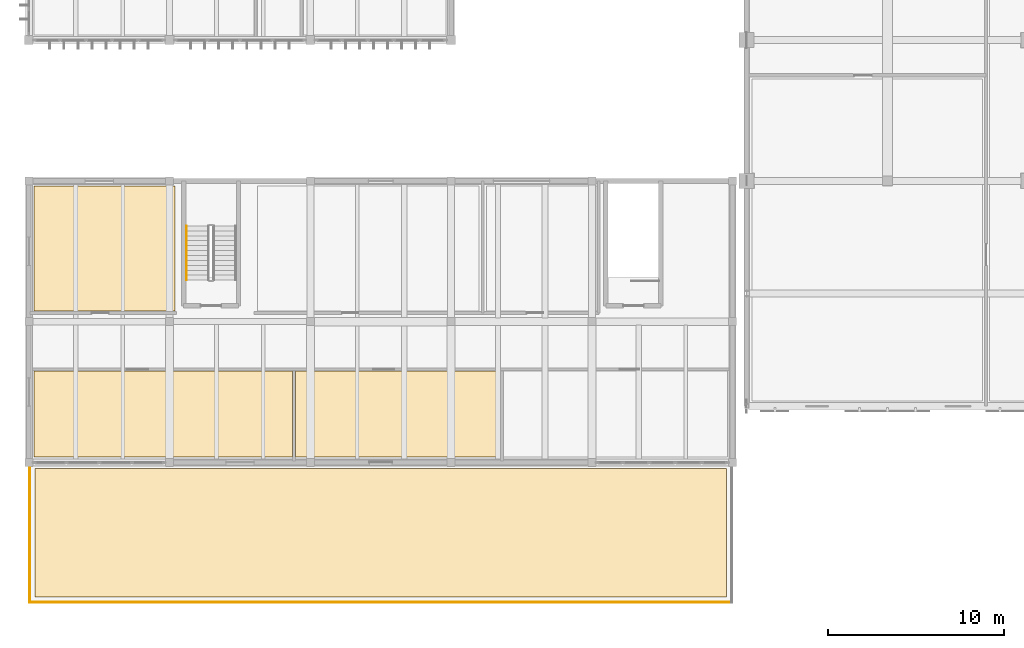
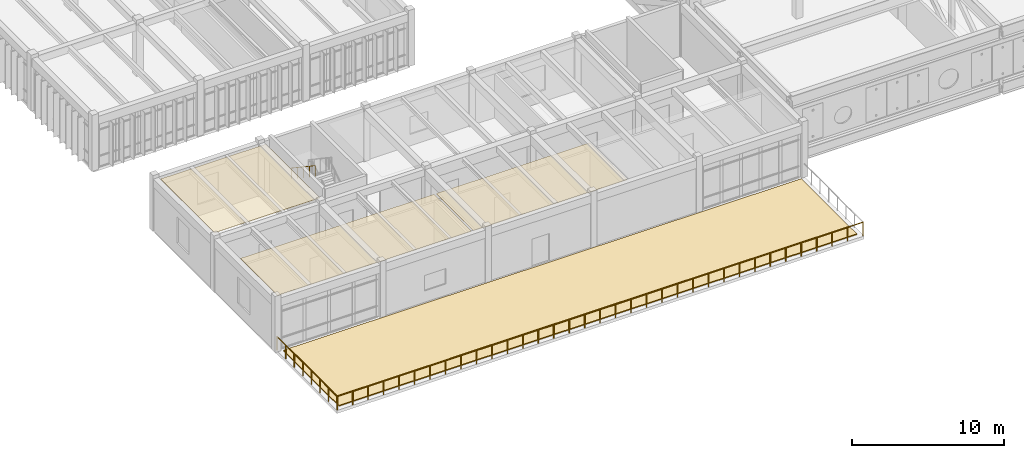
# One storey, part 64 of 79: 4 coverings, 3 railings.
"""IFC4 building model written with IfcOpenShell, lengths in metres."""

from ifc_helpers import new_model, si_unit, direction, frame, origin, origin_2d, place, context, subcontext, project, spatial, polyline, circle, outline, extrude, material, layer, layer_set, type_object, element, save


model = new_model("IFC4")

# Units and contexts
model_context = context("Model", 3, precision=1e-05, world=origin(), true_north=direction((0.0, 1.0)))
body_context = subcontext(model_context, "Body", "Model", "MODEL_VIEW")
ifc_project = project(units=[si_unit("LENGTHUNIT", "METRE"), si_unit("AREAUNIT", "SQUARE_METRE"), si_unit("VOLUMEUNIT", "CUBIC_METRE"), si_unit("PLANEANGLEUNIT", "RADIAN"), si_unit("MASSUNIT", "GRAM", prefix="KILO")], contexts=[model_context])

# Site, building, storey
site_placement = place(None, origin())
site = spatial("IfcSite", under=ifc_project, at=site_placement, CompositionType="ELEMENT")
building_placement = place(site_placement, origin())
building = spatial("IfcBuilding", under=site, at=building_placement, Name="Tlaxcora Railside Police Headquarters", CompositionType="ELEMENT")
storey_placement = place(building_placement, frame((0.0, 0.0, 9.0)))
storey = spatial("IfcBuildingStorey", under=building, at=storey_placement, Name="L02", CompositionType="ELEMENT", Elevation=9.0)

# Coverings
ifc_material_1 = material(Name="Mineral-fibre acoustic ceiling tile")
ifc_layer_1 = layer(ifc_material_1, 0.034912109375, Name="Mineral-fibre acoustic ceiling tile")
ifc_layer_set_1 = layer_set([ifc_layer_1], Name="Mineral-fibre acoustic ceiling tile")
covering_type_1 = type_object("IfcCoveringType", Name="Acoustic Suspended Ceiling CLG-01", PredefinedType="CEILING", material=ifc_layer_set_1)
covering_1_placement = place(storey_placement, frame((0.0, 0.0, 4.06494140625)))
element("IfcCovering", 1, at=covering_1_placement, inside=storey, type_object=covering_type_1, Name="Civic Oversight Board Chamber suspended ceiling", PredefinedType="CEILING", context=body_context, shape_type="SweptSolid", body=[
    extrude(outline(polyline([(5.5, 25.199951171875), (5.5, 20.300048828125), (20.195068359375, 20.300048828125), (20.195068359375, 25.199951171875), (5.5, 25.199951171875)])), origin(), (0.0, 0.0, 1.0), 0.03515625),
])
covering_2_placement = place(storey_placement, frame((0.0, 0.0, 4.06494140625)))
element("IfcCovering", 2, at=covering_2_placement, inside=storey, type_object=covering_type_1, Name="Community Advisory Conference Room suspended ceiling", PredefinedType="CEILING", context=body_context, shape_type="SweptSolid", body=[
    extrude(outline(polyline([(20.35498046875, 25.199951171875), (20.35498046875, 20.300048828125), (32.014892578125, 20.300048828125), (32.014892578125, 25.199951171875), (20.35498046875, 25.199951171875)])), origin(), (0.0, 0.0, 1.0), 0.03515625),
])
covering_3_placement = place(storey_placement, frame((0.0, 0.0, 4.06494140625)))
element("IfcCovering", 3, at=covering_3_placement, inside=storey, type_object=covering_type_1, Name="Ombudsman Interview Suite suspended ceiling", PredefinedType="CEILING", context=body_context, shape_type="SweptSolid", body=[
    extrude(outline(polyline([(5.5, 35.699951171875), (5.5, 28.60009765625), (13.5, 28.60009765625), (13.5, 35.699951171875), (5.5, 35.699951171875)])), origin(), (0.0, 0.0, 1.0), 0.03515625),
])
ifc_material_2 = material(Name="Modified EPDM waterproofing and volcanic-ash protection membrane")
ifc_layer_2 = layer(ifc_material_2, 0.080078125, Name="Modified EPDM waterproofing and volcanic-ash protection membrane")
ifc_layer_set_2 = layer_set([ifc_layer_2], Name="Modified EPDM waterproofing and volcanic-ash protection membrane")
covering_type_2 = type_object("IfcCoveringType", Name="Planted Roof Garden Waterproofing RF-01", PredefinedType="ROOFING", material=ifc_layer_set_2)
covering_4_placement = place(storey_placement, origin())
element("IfcCovering", 4, at=covering_4_placement, inside=storey, type_object=covering_type_2, Name="TERR-V4-L02 planted waterproofing layer", PredefinedType="ROOFING", context=body_context, shape_type="SweptSolid", body=[
    extrude(outline(polyline([(44.85009765625, 12.35009765625), (44.85009765625, 19.64990234375), (5.550048828125, 19.64990234375), (5.550048828125, 12.35009765625), (44.85009765625, 12.35009765625)])), origin(), (0.0, 0.0, 1.0), 0.080078125),
])

# Railings
ifc_material_3 = material(Name="Steel ASTM A992 Grade 50", Category="steel")
railing_type_1 = type_object("IfcRailingType", Name="Stair and Ramp Handrail HR-01", PredefinedType="HANDRAIL", material=ifc_material_3)
railing_1_placement = place(storey_placement, frame((14.159912109375, 33.43994140625, 2.4375)))
element("IfcRailing", 5, at=railing_1_placement, inside=storey, type_object=railing_type_1, Name="L02 ST6 stair handrail 2", PredefinedType="HANDRAIL", context=body_context, shape_type="SweptSolid", body=[
    extrude(circle(Radius=0.02392578125, at=origin_2d()), frame((0.0, 0.0, 0.8759765625), z_axis=(0.0, -0.830893310487, 0.556431762742), x_axis=(1.0, 0.0, 0.0)), (0.0, 0.0, 1.0), 3.70654296875),
    extrude(circle(Radius=0.02099609375, at=origin_2d()), origin(), (0.0, 0.0, 1.0), 0.851806640625),
    extrude(circle(Radius=0.02099609375, at=origin_2d()), frame((0.0, -0.77001953125, 0.515625)), (0.0, 0.0, 1.0), 0.851806640625),
    extrude(circle(Radius=0.02099609375, at=origin_2d()), frame((0.0, -1.5400390625, 1.03125)), (0.0, 0.0, 1.0), 0.851806640625),
    extrude(circle(Radius=0.02099609375, at=origin_2d()), frame((0.0, -2.309814453125, 1.546875)), (0.0, 0.0, 1.0), 0.851806640625),
    extrude(circle(Radius=0.02099609375, at=origin_2d()), frame((0.0, -3.079833984375, 2.0625)), (0.0, 0.0, 1.0), 0.851806640625),
])
railing_type_2 = type_object("IfcRailingType", Name="Terrace Perimeter Guard Balustrade GR-01", PredefinedType="BALUSTRADE", material=ifc_material_3)
railing_2_placement = place(storey_placement, frame((5.25, 12.050048828125, 0.0)))
element("IfcRailing", 6, at=railing_2_placement, inside=storey, type_object=railing_type_2, Name="TERR-V4-L02 perimeter guard 1", PredefinedType="BALUSTRADE", context=body_context, shape_type="SweptSolid", body=[
    extrude(circle(Radius=0.02392578125, at=origin_2d()), frame((0.0, 0.0, 1.09619140625), z_axis=(1.0, 0.0, 0.0), x_axis=(0.0, 1.0, 0.0)), (0.0, 0.0, 1.0), 39.89990234375),
    extrude(circle(Radius=0.02099609375, at=origin_2d()), origin(), (0.0, 0.0, 1.0), 1.072021484375),
    extrude(circle(Radius=0.02099609375, at=origin_2d()), frame((1.173583984375, 0.0, 0.0)), (0.0, 0.0, 1.0), 1.072021484375),
    extrude(circle(Radius=0.02099609375, at=origin_2d()), frame((2.34716796875, 0.0, 0.0)), (0.0, 0.0, 1.0), 1.072021484375),
    extrude(circle(Radius=0.02099609375, at=origin_2d()), frame((3.5205078125, 0.0, 0.0)), (0.0, 0.0, 1.0), 1.072021484375),
    extrude(circle(Radius=0.02099609375, at=origin_2d()), frame((4.694091796875, 0.0, 0.0)), (0.0, 0.0, 1.0), 1.072021484375),
    extrude(circle(Radius=0.02099609375, at=origin_2d()), frame((5.86767578125, 0.0, 0.0)), (0.0, 0.0, 1.0), 1.072021484375),
    extrude(circle(Radius=0.02099609375, at=origin_2d()), frame((7.041259765625, 0.0, 0.0)), (0.0, 0.0, 1.0), 1.072021484375),
    extrude(circle(Radius=0.02099609375, at=origin_2d()), frame((8.214599609375, 0.0, 0.0)), (0.0, 0.0, 1.0), 1.072021484375),
    extrude(circle(Radius=0.02099609375, at=origin_2d()), frame((9.38818359375, 0.0, 0.0)), (0.0, 0.0, 1.0), 1.072021484375),
    extrude(circle(Radius=0.02099609375, at=origin_2d()), frame((10.561767578125, 0.0, 0.0)), (0.0, 0.0, 1.0), 1.072021484375),
    extrude(circle(Radius=0.02099609375, at=origin_2d()), frame((11.7353515625, 0.0, 0.0)), (0.0, 0.0, 1.0), 1.072021484375),
    extrude(circle(Radius=0.02099609375, at=origin_2d()), frame((12.90869140625, 0.0, 0.0)), (0.0, 0.0, 1.0), 1.072021484375),
    extrude(circle(Radius=0.02099609375, at=origin_2d()), frame((14.082275390625, 0.0, 0.0)), (0.0, 0.0, 1.0), 1.072021484375),
    extrude(circle(Radius=0.02099609375, at=origin_2d()), frame((15.255859375, 0.0, 0.0)), (0.0, 0.0, 1.0), 1.072021484375),
    extrude(circle(Radius=0.02099609375, at=origin_2d()), frame((16.429443359375, 0.0, 0.0)), (0.0, 0.0, 1.0), 1.072021484375),
    extrude(circle(Radius=0.02099609375, at=origin_2d()), frame((17.602783203125, 0.0, 0.0)), (0.0, 0.0, 1.0), 1.072021484375),
    extrude(circle(Radius=0.02099609375, at=origin_2d()), frame((18.7763671875, 0.0, 0.0)), (0.0, 0.0, 1.0), 1.072021484375),
    extrude(circle(Radius=0.02099609375, at=origin_2d()), frame((19.949951171875, 0.0, 0.0)), (0.0, 0.0, 1.0), 1.072021484375),
    extrude(circle(Radius=0.02099609375, at=origin_2d()), frame((21.12353515625, 0.0, 0.0)), (0.0, 0.0, 1.0), 1.072021484375),
    extrude(circle(Radius=0.02099609375, at=origin_2d()), frame((22.297119140625, 0.0, 0.0)), (0.0, 0.0, 1.0), 1.072021484375),
    extrude(circle(Radius=0.02099609375, at=origin_2d()), frame((23.470458984375, 0.0, 0.0)), (0.0, 0.0, 1.0), 1.072021484375),
    extrude(circle(Radius=0.02099609375, at=origin_2d()), frame((24.64404296875, 0.0, 0.0)), (0.0, 0.0, 1.0), 1.072021484375),
    extrude(circle(Radius=0.02099609375, at=origin_2d()), frame((25.817626953125, 0.0, 0.0)), (0.0, 0.0, 1.0), 1.072021484375),
    extrude(circle(Radius=0.02099609375, at=origin_2d()), frame((26.9912109375, 0.0, 0.0)), (0.0, 0.0, 1.0), 1.072021484375),
    extrude(circle(Radius=0.02099609375, at=origin_2d()), frame((28.16455078125, 0.0, 0.0)), (0.0, 0.0, 1.0), 1.072021484375),
    extrude(circle(Radius=0.02099609375, at=origin_2d()), frame((29.338134765625, 0.0, 0.0)), (0.0, 0.0, 1.0), 1.072021484375),
    extrude(circle(Radius=0.02099609375, at=origin_2d()), frame((30.51171875, 0.0, 0.0)), (0.0, 0.0, 1.0), 1.072021484375),
    extrude(circle(Radius=0.02099609375, at=origin_2d()), frame((31.685302734375, 0.0, 0.0)), (0.0, 0.0, 1.0), 1.072021484375),
    extrude(circle(Radius=0.02099609375, at=origin_2d()), frame((32.858642578125, 0.0, 0.0)), (0.0, 0.0, 1.0), 1.072021484375),
    extrude(circle(Radius=0.02099609375, at=origin_2d()), frame((34.0322265625, 0.0, 0.0)), (0.0, 0.0, 1.0), 1.072021484375),
    extrude(circle(Radius=0.02099609375, at=origin_2d()), frame((35.205810546875, 0.0, 0.0)), (0.0, 0.0, 1.0), 1.072021484375),
    extrude(circle(Radius=0.02099609375, at=origin_2d()), frame((36.37939453125, 0.0, 0.0)), (0.0, 0.0, 1.0), 1.072021484375),
    extrude(circle(Radius=0.02099609375, at=origin_2d()), frame((37.552734375, 0.0, 0.0)), (0.0, 0.0, 1.0), 1.072021484375),
    extrude(circle(Radius=0.02099609375, at=origin_2d()), frame((38.726318359375, 0.0, 0.0)), (0.0, 0.0, 1.0), 1.072021484375),
    extrude(circle(Radius=0.02099609375, at=origin_2d()), frame((39.89990234375, 0.0, 0.0)), (0.0, 0.0, 1.0), 1.072021484375),
])
railing_3_placement = place(storey_placement, frame((5.25, 12.050048828125, 0.0)))
element("IfcRailing", 7, at=railing_3_placement, inside=storey, type_object=railing_type_2, Name="TERR-V4-L02 perimeter guard 2", PredefinedType="BALUSTRADE", context=body_context, shape_type="SweptSolid", body=[
    extrude(circle(Radius=0.02392578125, at=origin_2d()), frame((0.0, 0.0, 1.09619140625), z_axis=(0.0, 1.0, 0.0), x_axis=(-1.0, 0.0, 0.0)), (0.0, 0.0, 1.0), 7.89990234375),
    extrude(circle(Radius=0.02099609375, at=origin_2d()), origin(), (0.0, 0.0, 1.0), 1.072021484375),
    extrude(circle(Radius=0.02099609375, at=origin_2d()), frame((0.0, 1.128662109375, 0.0)), (0.0, 0.0, 1.0), 1.072021484375),
    extrude(circle(Radius=0.02099609375, at=origin_2d()), frame((0.0, 2.257080078125, 0.0)), (0.0, 0.0, 1.0), 1.072021484375),
    extrude(circle(Radius=0.02099609375, at=origin_2d()), frame((0.0, 3.3857421875, 0.0)), (0.0, 0.0, 1.0), 1.072021484375),
    extrude(circle(Radius=0.02099609375, at=origin_2d()), frame((0.0, 4.51416015625, 0.0)), (0.0, 0.0, 1.0), 1.072021484375),
    extrude(circle(Radius=0.02099609375, at=origin_2d()), frame((0.0, 5.642822265625, 0.0)), (0.0, 0.0, 1.0), 1.072021484375),
    extrude(circle(Radius=0.02099609375, at=origin_2d()), frame((0.0, 6.771240234375, 0.0)), (0.0, 0.0, 1.0), 1.072021484375),
    extrude(circle(Radius=0.02099609375, at=origin_2d()), frame((0.0, 7.89990234375, 0.0)), (0.0, 0.0, 1.0), 1.072021484375),
])

save(model, "model.ifc")
